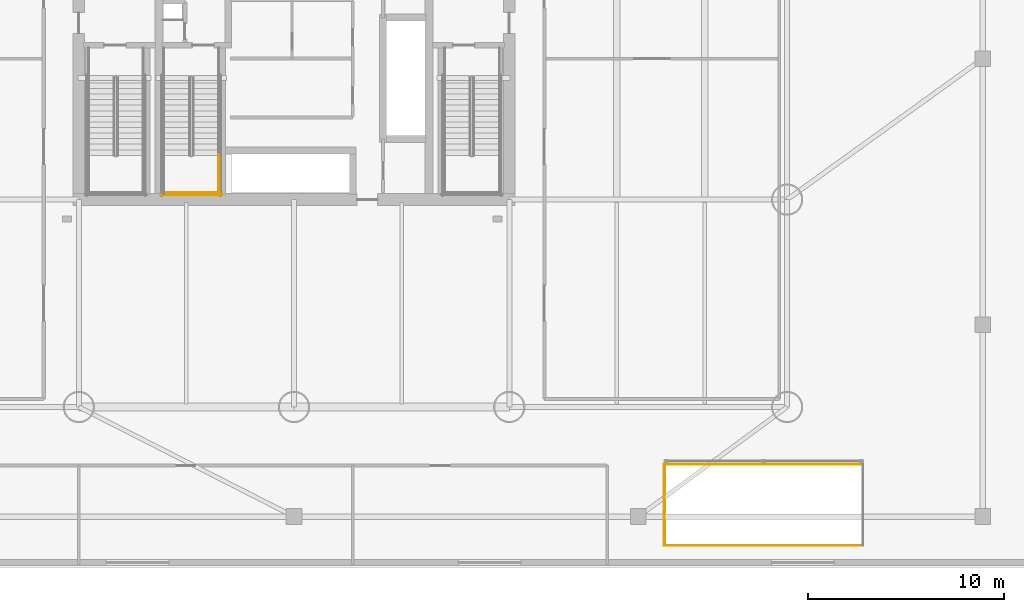
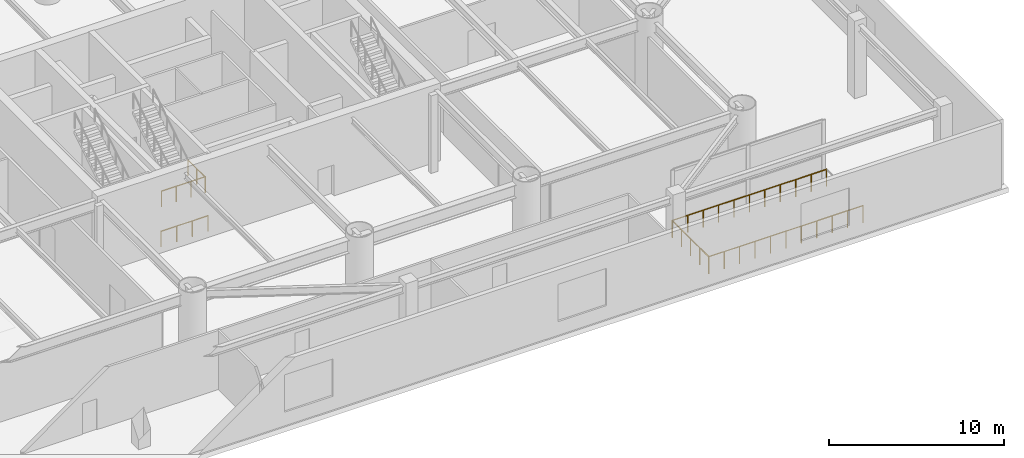
# One storey, part 12 of 16: 6 railings.
"""IFC4 building model written with IfcOpenShell, lengths in metres."""

from ifc_helpers import new_model, si_unit, direction, frame, origin, origin_2d, place, context, subcontext, project, spatial, circle, extrude, material, type_object, element, save


model = new_model("IFC4")

# Units and contexts
model_context = context("Model", 3, precision=1e-05, world=origin(), true_north=direction((0.0, 1.0)))
body_context = subcontext(model_context, "Body", "Model", "MODEL_VIEW")
ifc_project = project(units=[si_unit("LENGTHUNIT", "METRE"), si_unit("AREAUNIT", "SQUARE_METRE"), si_unit("VOLUMEUNIT", "CUBIC_METRE"), si_unit("PLANEANGLEUNIT", "RADIAN"), si_unit("MASSUNIT", "GRAM", prefix="KILO")], contexts=[model_context])

# Site, building, storey
site_placement = place(None, origin())
site = spatial("IfcSite", under=ifc_project, at=site_placement, CompositionType="ELEMENT")
building_placement = place(site_placement, origin())
building = spatial("IfcBuilding", under=site, at=building_placement, Name="Bramvorn Convention Spire", CompositionType="ELEMENT")
storey_placement = place(building_placement, frame((0.0, 0.0, 6.60009765625)))
storey = spatial("IfcBuildingStorey", under=building, at=storey_placement, Name="L01", CompositionType="ELEMENT", Elevation=6.60009765625)

# Railings
ifc_material_1 = material(Name="Warm Bronze Perforated Metal & Glass Balustrade", Category="glass")
railing_type_1 = type_object("IfcRailingType", Name="RL-POD-BALUSTRADE-1200", PredefinedType="BALUSTRADE", material=ifc_material_1)
railing_1_placement = place(storey_placement, frame((56.919921875, 1.1201171875, 0.0)))
element("IfcRailing", 1, at=railing_1_placement, inside=storey, type_object=railing_type_1, Name="L01 SE void perimeter balustrade side 1", PredefinedType="BALUSTRADE", context=body_context, shape_type="SweptSolid", body=[
    extrude(circle(Radius=0.02392578125, at=origin_2d()), frame((0.0, 0.0, 1.17578125), z_axis=(1.0, 0.0, 0.0), x_axis=(0.0, 1.0, 0.0)), (0.0, 0.0, 1.0), 10.16015625),
    extrude(circle(Radius=0.02099609375, at=origin_2d()), origin(), (0.0, 0.0, 1.0), 1.15185546875),
    extrude(circle(Radius=0.02099609375, at=origin_2d()), frame((1.01611328125, 0.0, 0.0)), (0.0, 0.0, 1.0), 1.15185546875),
    extrude(circle(Radius=0.02099609375, at=origin_2d()), frame((2.031982421875, 0.0, 0.0)), (0.0, 0.0, 1.0), 1.15185546875),
    extrude(circle(Radius=0.02099609375, at=origin_2d()), frame((3.048095703125, 0.0, 0.0)), (0.0, 0.0, 1.0), 1.15185546875),
    extrude(circle(Radius=0.02099609375, at=origin_2d()), frame((4.06396484375, 0.0, 0.0)), (0.0, 0.0, 1.0), 1.15185546875),
    extrude(circle(Radius=0.02099609375, at=origin_2d()), frame((5.080078125, 0.0, 0.0)), (0.0, 0.0, 1.0), 1.15185546875),
    extrude(circle(Radius=0.02099609375, at=origin_2d()), frame((6.09619140625, 0.0, 0.0)), (0.0, 0.0, 1.0), 1.15185546875),
    extrude(circle(Radius=0.02099609375, at=origin_2d()), frame((7.112060546875, 0.0, 0.0)), (0.0, 0.0, 1.0), 1.15185546875),
    extrude(circle(Radius=0.02099609375, at=origin_2d()), frame((8.128173828125, 0.0, 0.0)), (0.0, 0.0, 1.0), 1.15185546875),
    extrude(circle(Radius=0.02099609375, at=origin_2d()), frame((9.14404296875, 0.0, 0.0)), (0.0, 0.0, 1.0), 1.15185546875),
    extrude(circle(Radius=0.02099609375, at=origin_2d()), frame((10.16015625, 0.0, 0.0)), (0.0, 0.0, 1.0), 1.15185546875),
])
railing_2_placement = place(storey_placement, frame((67.080078125, 5.280029296875, 0.0)))
element("IfcRailing", 2, at=railing_2_placement, inside=storey, type_object=railing_type_1, Name="L01 SE void perimeter balustrade side 3", PredefinedType="BALUSTRADE", context=body_context, shape_type="SweptSolid", body=[
    extrude(circle(Radius=0.02392578125, at=origin_2d()), frame((0.0, 0.0, 1.17578125), z_axis=(-1.0, 0.0, 0.0), x_axis=(0.0, -1.0, 0.0)), (0.0, 0.0, 1.0), 10.16015625),
    extrude(circle(Radius=0.02099609375, at=origin_2d()), origin(), (0.0, 0.0, 1.0), 1.15185546875),
    extrude(circle(Radius=0.02099609375, at=origin_2d()), frame((-1.01611328125, 0.0, 0.0)), (0.0, 0.0, 1.0), 1.15185546875),
    extrude(circle(Radius=0.02099609375, at=origin_2d()), frame((-2.031982421875, 0.0, 0.0)), (0.0, 0.0, 1.0), 1.15185546875),
    extrude(circle(Radius=0.02099609375, at=origin_2d()), frame((-3.048095703125, 0.0, 0.0)), (0.0, 0.0, 1.0), 1.15185546875),
    extrude(circle(Radius=0.02099609375, at=origin_2d()), frame((-4.06396484375, 0.0, 0.0)), (0.0, 0.0, 1.0), 1.15185546875),
    extrude(circle(Radius=0.02099609375, at=origin_2d()), frame((-5.080078125, 0.0, 0.0)), (0.0, 0.0, 1.0), 1.15185546875),
    extrude(circle(Radius=0.02099609375, at=origin_2d()), frame((-6.09619140625, 0.0, 0.0)), (0.0, 0.0, 1.0), 1.15185546875),
    extrude(circle(Radius=0.02099609375, at=origin_2d()), frame((-7.112060546875, 0.0, 0.0)), (0.0, 0.0, 1.0), 1.15185546875),
    extrude(circle(Radius=0.02099609375, at=origin_2d()), frame((-8.128173828125, 0.0, 0.0)), (0.0, 0.0, 1.0), 1.15185546875),
    extrude(circle(Radius=0.02099609375, at=origin_2d()), frame((-9.14404296875, 0.0, 0.0)), (0.0, 0.0, 1.0), 1.15185546875),
    extrude(circle(Radius=0.02099609375, at=origin_2d()), frame((-10.16015625, 0.0, 0.0)), (0.0, 0.0, 1.0), 1.15185546875),
])
railing_3_placement = place(storey_placement, frame((56.919921875, 5.280029296875, 0.0)))
element("IfcRailing", 3, at=railing_3_placement, inside=storey, type_object=railing_type_1, Name="L01 SE void perimeter balustrade side 4", PredefinedType="BALUSTRADE", context=body_context, shape_type="SweptSolid", body=[
    extrude(circle(Radius=0.02392578125, at=origin_2d()), frame((0.0, 0.0, 1.17578125), z_axis=(0.0, -1.0, 0.0), x_axis=(1.0, 0.0, 0.0)), (0.0, 0.0, 1.0), 4.159912109375),
    extrude(circle(Radius=0.02099609375, at=origin_2d()), origin(), (0.0, 0.0, 1.0), 1.15185546875),
    extrude(circle(Radius=0.02099609375, at=origin_2d()), frame((0.0, -1.0400390625, 0.0)), (0.0, 0.0, 1.0), 1.15185546875),
    extrude(circle(Radius=0.02099609375, at=origin_2d()), frame((0.0, -2.080078125, 0.0)), (0.0, 0.0, 1.0), 1.15185546875),
    extrude(circle(Radius=0.02099609375, at=origin_2d()), frame((0.0, -3.119873046875, 0.0)), (0.0, 0.0, 1.0), 1.15185546875),
    extrude(circle(Radius=0.02099609375, at=origin_2d()), frame((0.0, -4.159912109375, 0.0)), (0.0, 0.0, 1.0), 1.15185546875),
])
ifc_material_2 = material(Name="Painted Steel Balustrade & Guardrail", Category="steel")
railing_type_2 = type_object("IfcRailingType", Name="RL-STAIR-GUARD-1100", PredefinedType="GUARDRAIL", material=ifc_material_2)
railing_4_placement = place(storey_placement, frame((34.14990234375, 21.06005859375, 2.699951171875)))
element("IfcRailing", 4, at=railing_4_placement, inside=storey, type_object=railing_type_2, Name="L01 ST3 stair guard 4", PredefinedType="GUARDRAIL", context=body_context, shape_type="SweptSolid", body=[
    extrude(circle(Radius=0.02392578125, at=origin_2d()), frame((0.0, 0.0, 1.076171875), z_axis=(0.0, -1.0, 0.0), x_axis=(1.0, 0.0, 0.0)), (0.0, 0.0, 1.0), 1.9599609375),
    extrude(circle(Radius=0.02099609375, at=origin_2d()), origin(), (0.0, 0.0, 1.0), 1.052001953125),
    extrude(circle(Radius=0.02099609375, at=origin_2d()), frame((0.0, -0.97998046875, 0.0)), (0.0, 0.0, 1.0), 1.052001953125),
    extrude(circle(Radius=0.02099609375, at=origin_2d()), frame((0.0, -1.9599609375, 0.0)), (0.0, 0.0, 1.0), 1.052001953125),
])
railing_5_placement = place(storey_placement, frame((31.300048828125, 19.14990234375, 2.699951171875)))
element("IfcRailing", 5, at=railing_5_placement, inside=storey, type_object=railing_type_2, Name="L01 ST3 stair guard 5", PredefinedType="GUARDRAIL", context=body_context, shape_type="SweptSolid", body=[
    extrude(circle(Radius=0.02392578125, at=origin_2d()), frame((0.0, 0.0, 1.076171875), z_axis=(1.0, 0.0, 0.0), x_axis=(0.0, 1.0, 0.0)), (0.0, 0.0, 1.0), 2.89990234375),
    extrude(circle(Radius=0.02099609375, at=origin_2d()), origin(), (0.0, 0.0, 1.0), 1.052001953125),
    extrude(circle(Radius=0.02099609375, at=origin_2d()), frame((0.966552734375, 0.0, 0.0)), (0.0, 0.0, 1.0), 1.052001953125),
    extrude(circle(Radius=0.02099609375, at=origin_2d()), frame((1.933349609375, 0.0, 0.0)), (0.0, 0.0, 1.0), 1.052001953125),
    extrude(circle(Radius=0.02099609375, at=origin_2d()), frame((2.89990234375, 0.0, 0.0)), (0.0, 0.0, 1.0), 1.052001953125),
])
railing_6_placement = place(storey_placement, frame((31.199951171875, 19.050048828125, 0.0)))
element("IfcRailing", 6, at=railing_6_placement, inside=storey, type_object=railing_type_2, Name="L01 ST3 stair guard 12", PredefinedType="GUARDRAIL", context=body_context, shape_type="SweptSolid", body=[
    extrude(circle(Radius=0.02392578125, at=origin_2d()), frame((0.0, 0.0, 1.076171875), z_axis=(1.0, 0.0, 0.0), x_axis=(0.0, 1.0, 0.0)), (0.0, 0.0, 1.0), 3.10009765625),
    extrude(circle(Radius=0.02099609375, at=origin_2d()), origin(), (0.0, 0.0, 1.0), 1.052001953125),
    extrude(circle(Radius=0.02099609375, at=origin_2d()), frame((1.033447265625, 0.0, 0.0)), (0.0, 0.0, 1.0), 1.052001953125),
    extrude(circle(Radius=0.02099609375, at=origin_2d()), frame((2.066650390625, 0.0, 0.0)), (0.0, 0.0, 1.0), 1.052001953125),
    extrude(circle(Radius=0.02099609375, at=origin_2d()), frame((3.10009765625, 0.0, 0.0)), (0.0, 0.0, 1.0), 1.052001953125),
])

save(model, "model.ifc")
